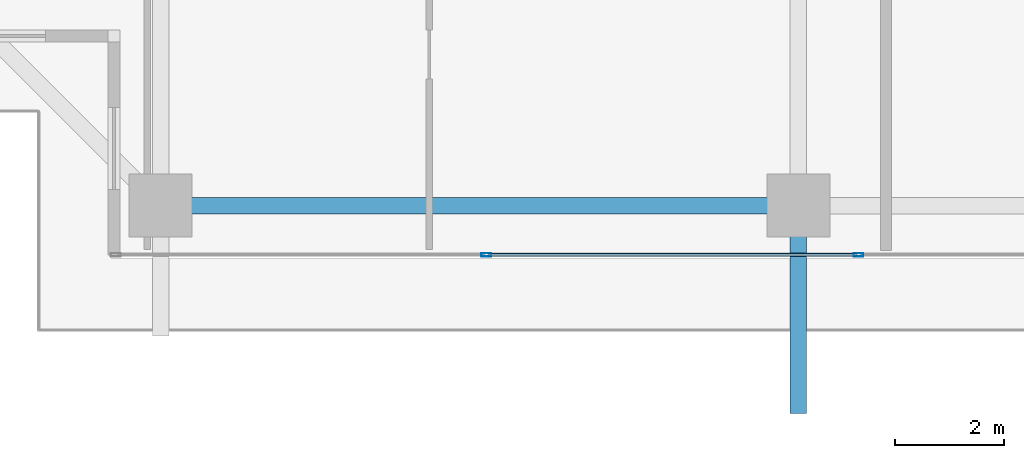
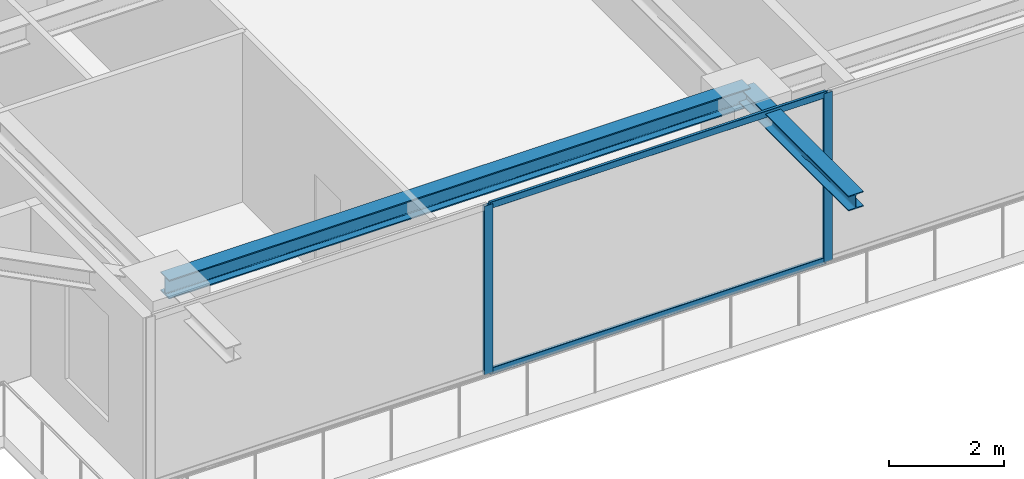
# One storey, part 5 of 38: 4 members, 2 beams, 1 element without a shape of its own.
"""IFC4 building model written with IfcOpenShell, lengths in metres."""

from ifc_helpers import new_model, si_unit, direction, frame, origin, origin_2d, place, context, subcontext, project, spatial, hollow_rectangle, i_section, extrude, source, transform, mapped, material, layer, layer_set, material_profile, profile_set, type_object, element, aggregate, save


model = new_model("IFC4")

# Units and contexts
model_context = context("Model", 3, precision=1e-05, world=origin(), true_north=direction((0.0, 1.0)))
body_context = subcontext(model_context, "Body", "Model", "MODEL_VIEW")
ifc_project = project(units=[si_unit("LENGTHUNIT", "METRE"), si_unit("AREAUNIT", "SQUARE_METRE"), si_unit("VOLUMEUNIT", "CUBIC_METRE"), si_unit("PLANEANGLEUNIT", "RADIAN"), si_unit("MASSUNIT", "GRAM", prefix="KILO")], contexts=[model_context])

# Site, building, storey
site_placement = place(None, origin())
site = spatial("IfcSite", under=ifc_project, at=site_placement, CompositionType="ELEMENT")
building_placement = place(site_placement, origin())
building = spatial("IfcBuilding", under=site, at=building_placement, Name="Serunith Strait Residences", CompositionType="ELEMENT")
storey_placement = place(building_placement, frame((0.0, 0.0, 237.39990234375)))
storey = spatial("IfcBuildingStorey", under=building, at=storey_placement, Name="L59", CompositionType="ELEMENT", Elevation=237.39990234375)

# Beams
ifc_material_1 = material(Name="Steel S355J2", Category="steel")
ifc_material_profile_1 = material_profile(ifc_material_1, i_section(OverallWidth=0.300048828125, OverallDepth=0.39990234375, WebThickness=0.013427734375, FlangeThickness=0.02392578125, FilletRadius=0.027099609375, at=origin_2d()), Name="HEB 400")
ifc_profile_set_1 = profile_set([ifc_material_profile_1], Name="Steel S355J2")
beam_type_1 = type_object("IfcBeamType", Name="BM-HEB400", PredefinedType="BEAM", material=ifc_profile_set_1)
shared_shape_1 = source(origin(), body_context, "Body", "SweptSolid", [
    extrude(i_section(OverallWidth=0.300048828125, OverallDepth=0.39990234375, WebThickness=0.013427734375, FlangeThickness=0.02392578125, FilletRadius=0.027099609375, at=origin_2d()), origin(), (0.0, 0.0, 1.0), 11.64990234375),
])
beam_1_placement = place(storey_placement, frame((16.25, 2.10009765625, 3.38720703125), z_axis=(1.0, 0.0, 0.0), x_axis=(0.0, 1.0, 0.0)))
element("IfcBeam", 1, at=beam_1_placement, inside=storey, type_object=beam_type_1, Name="L59 Perimeter Ring Beam 01", PredefinedType="BEAM", context=body_context, shape_type="MappedRepresentation", body=[
    mapped(shared_shape_1, transform((0.0, 0.0, 0.0), scale=1.0)),
])
ifc_material_profile_2 = material_profile(ifc_material_1, i_section(OverallWidth=0.300048828125, OverallDepth=0.320068359375, WebThickness=0.011474609375, FlangeThickness=0.0205078125, FilletRadius=0.027099609375, at=origin_2d()), Name="HEB 320")
ifc_profile_set_2 = profile_set([ifc_material_profile_2], Name="Steel S355J2")
beam_type_2 = type_object("IfcBeamType", Name="BM-HEB320", PredefinedType="BEAM", material=ifc_profile_set_2)
shared_shape_2 = source(origin(), body_context, "Body", "SweptSolid", [
    extrude(i_section(OverallWidth=0.300048828125, OverallDepth=0.320068359375, WebThickness=0.011474609375, FlangeThickness=0.0205078125, FilletRadius=0.027099609375, at=origin_2d()), origin(), (0.0, 0.0, 1.0), 3.800048828125),
])
beam_2_placement = place(storey_placement, frame((27.89990234375, 2.10009765625, 3.397216796875), z_axis=(0.0, -1.0, 0.0), x_axis=(1.0, 0.0, 0.0)))
element("IfcBeam", 2, at=beam_2_placement, inside=storey, type_object=beam_type_2, Name="L60 Cantilevered Balcony Rib TC-S2", PredefinedType="BEAM", context=body_context, shape_type="MappedRepresentation", body=[
    mapped(shared_shape_2, transform((0.0, 0.0, 0.0), scale=1.0)),
])

# Curtain wall, members
ifc_material_2 = material(Name="Pale-Champagne Anodised Aluminium", Category="aluminium")
ifc_layer = layer(ifc_material_2, 0.199951171875, Name="Pale-Champagne Anodised Aluminium")
ifc_layer_set = layer_set([ifc_layer], Name="Pale-Champagne Anodised Aluminium")
curtain_wall_type = type_object("IfcCurtainWallType", Name="CW-SYS4", PredefinedType="NOTDEFINED", material=ifc_layer_set)
curtain_wall_placement = place(storey_placement, origin())
curtain_wall = element("IfcCurtainWall", 3, at=curtain_wall_placement, inside=storey, type_object=curtain_wall_type, Name="L59 S Unitised Fritted Curtain Wall", PredefinedType="NOTDEFINED")
ifc_material_profile_3 = material_profile(ifc_material_2, hollow_rectangle(XDim=0.06005859375, YDim=0.139892578125, WallThickness=0.00341796875, InnerFilletRadius=0.00537109375, OuterFilletRadius=0.0087890625, at=origin_2d()), Name="ALU 140x60x3.5")
ifc_profile_set_3 = profile_set([ifc_material_profile_3], Name="Pale-Champagne Anodised Aluminium")
member_type_1 = type_object("IfcMemberType", Name="CW-SYS4-TRAN", PredefinedType="USERDEFINED", material=ifc_profile_set_3)
shared_shape_3 = source(origin(), body_context, "Body", "SweptSolid", [
    extrude(hollow_rectangle(XDim=0.06005859375, YDim=0.139892578125, WallThickness=0.00341796875, InnerFilletRadius=0.00537109375, OuterFilletRadius=0.0087890625, at=origin_2d()), origin(), (0.0, 0.0, 1.0), 6.735107421875),
])
member_1_placement = place(storey_placement, frame((22.232421875, 1.199951171875, 0.030029296875), z_axis=(1.0, 0.0, 0.0), x_axis=(0.0, 1.0, 0.0)))
member_1 = element("IfcMember", 4, at=member_1_placement, type_object=member_type_1, Name="CW-4 transom 2.1", ObjectType="TRANSOM", PredefinedType="USERDEFINED", context=body_context, shape_type="MappedRepresentation", body=[
    mapped(shared_shape_3, transform((0.0, 0.0, 0.0), scale=1.0)),
])
member_2_placement = place(storey_placement, frame((22.232421875, 1.199951171875, 3.545166015625), z_axis=(1.0, 0.0, 0.0), x_axis=(0.0, 1.0, 0.0)))
member_2 = element("IfcMember", 5, at=member_2_placement, type_object=member_type_1, Name="CW-4 transom 2.2", ObjectType="TRANSOM", PredefinedType="USERDEFINED", context=body_context, shape_type="MappedRepresentation", body=[
    mapped(shared_shape_3, transform((0.0, 0.0, 0.0), scale=1.0)),
])
ifc_material_profile_4 = material_profile(ifc_material_2, hollow_rectangle(XDim=0.06494140625, YDim=0.179931640625, WallThickness=0.00341796875, InnerFilletRadius=0.00537109375, OuterFilletRadius=0.0087890625, at=origin_2d()), Name="ALU 180x65x3.5")
ifc_profile_set_4 = profile_set([ifc_material_profile_4], Name="Pale-Champagne Anodised Aluminium")
member_type_2 = type_object("IfcMemberType", Name="CW-SYS4-MULL", PredefinedType="MULLION", material=ifc_profile_set_4)
shared_shape_4 = source(origin(), body_context, "Body", "SweptSolid", [
    extrude(hollow_rectangle(XDim=0.06494140625, YDim=0.179931640625, WallThickness=0.00341796875, InnerFilletRadius=0.00537109375, OuterFilletRadius=0.0087890625, at=origin_2d()), origin(), (0.0, 0.0, 1.0), 3.5751953125),
])
member_3_placement = place(storey_placement, frame((22.199951171875, 1.199951171875, 0.0), z_axis=(0.0, 0.0, 1.0), x_axis=(0.0, 1.0, 0.0)))
member_3 = element("IfcMember", 6, at=member_3_placement, type_object=member_type_2, Name="CW-4 mullion 2", PredefinedType="MULLION", context=body_context, shape_type="MappedRepresentation", body=[
    mapped(shared_shape_4, transform((0.0, 0.0, 0.0), scale=1.0)),
])
member_4_placement = place(storey_placement, frame((29.0, 1.199951171875, 0.0), z_axis=(0.0, 0.0, 1.0), x_axis=(0.0, 1.0, 0.0)))
member_4 = element("IfcMember", 7, at=member_4_placement, type_object=member_type_2, Name="CW-4 mullion 3", PredefinedType="MULLION", context=body_context, shape_type="MappedRepresentation", body=[
    mapped(shared_shape_4, transform((0.0, 0.0, 0.0), scale=1.0)),
])
aggregate(curtain_wall, [member_3, member_4, member_1, member_2])

save(model, "model.ifc")
